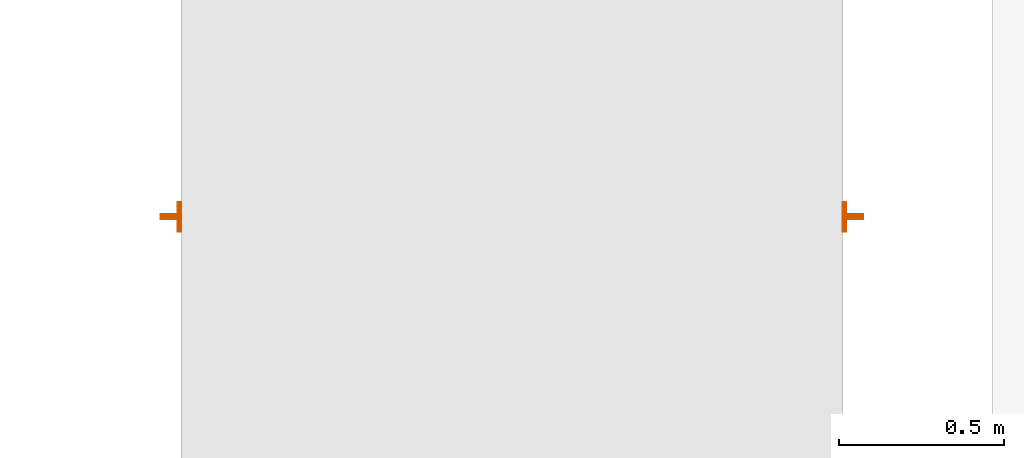
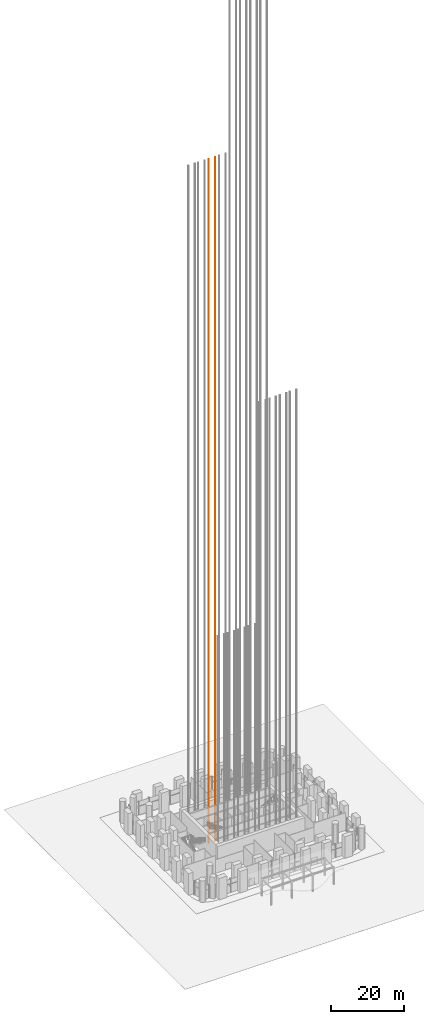
# One storey, part 27 of 32: 1 proxy.
"""IFC4 building model written with IfcOpenShell, lengths in metres."""

from ifc_helpers import new_model, si_unit, direction, frame, origin, origin_2d, place, context, subcontext, project, spatial, t_section, extrude, material, type_object, element, save


model = new_model("IFC4")

# Units and contexts
model_context = context("Model", 3, precision=1e-05, world=origin(), true_north=direction((0.0, 1.0)))
body_context = subcontext(model_context, "Body", "Model", "MODEL_VIEW")
ifc_project = project(units=[si_unit("LENGTHUNIT", "METRE"), si_unit("AREAUNIT", "SQUARE_METRE"), si_unit("VOLUMEUNIT", "CUBIC_METRE"), si_unit("PLANEANGLEUNIT", "RADIAN"), si_unit("MASSUNIT", "GRAM", prefix="KILO")], contexts=[model_context])

# Site, building, storey
site_placement = place(None, origin())
site = spatial("IfcSite", under=ifc_project, at=site_placement, CompositionType="ELEMENT")
building_placement = place(site_placement, origin())
building = spatial("IfcBuilding", under=site, at=building_placement, Name="Cobogo Forest Laboratory Tower", CompositionType="ELEMENT")
storey_placement = place(building_placement, origin())
storey = spatial("IfcBuildingStorey", under=building, at=storey_placement, Name="L00", CompositionType="ELEMENT", Elevation=0.0)

# Proxy
ifc_material = material(Name="Steel guide rail", Category="steel")
building_element_proxy_type = type_object("IfcBuildingElementProxyType", Name="LR lift guide rails", PredefinedType="USERDEFINED", material=ifc_material)
proxy_placement = place(storey_placement, frame((21.449951171875, 31.0, 0.0)))
element("IfcBuildingElementProxy", 1, at=proxy_placement, inside=storey, type_object=building_element_proxy_type, Name="LC3 guide rails", ObjectType="LIFT GUIDE RAILS", PredefinedType="USERDEFINED", context=body_context, shape_type="SweptSolid", body=[
    extrude(t_section(Depth=0.062, FlangeWidth=0.089, WebThickness=0.0159, FlangeThickness=0.01, at=origin_2d()), frame((-1.031005859375, 0.0, -5.39990234375), z_axis=(0.0, 0.0, 1.0), x_axis=(0.0, -1.0, 0.0)), (0.0, 0.0, 1.0), 227.75),
    extrude(t_section(Depth=0.062, FlangeWidth=0.089, WebThickness=0.0159, FlangeThickness=0.01, at=origin_2d()), frame((1.031005859375, 0.0, -5.39990234375), z_axis=(0.0, 0.0, 1.0), x_axis=(0.0, 1.0, 0.0)), (0.0, 0.0, 1.0), 227.75),
])

save(model, "model.ifc")
